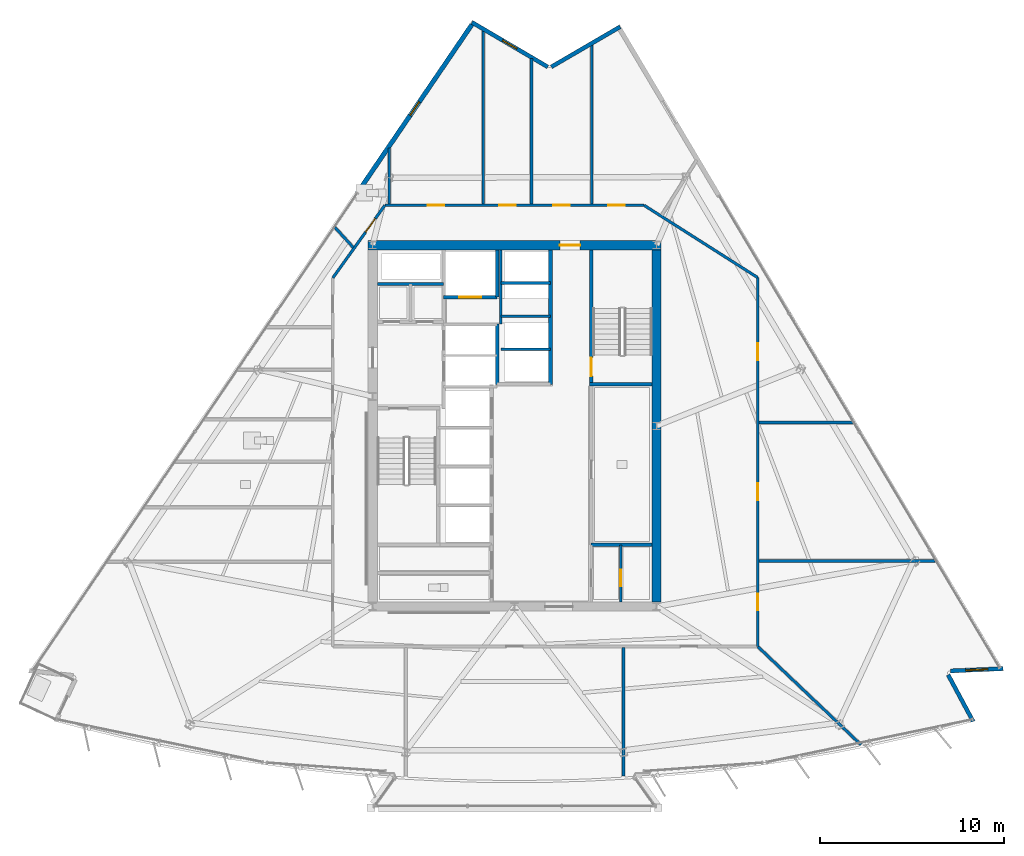
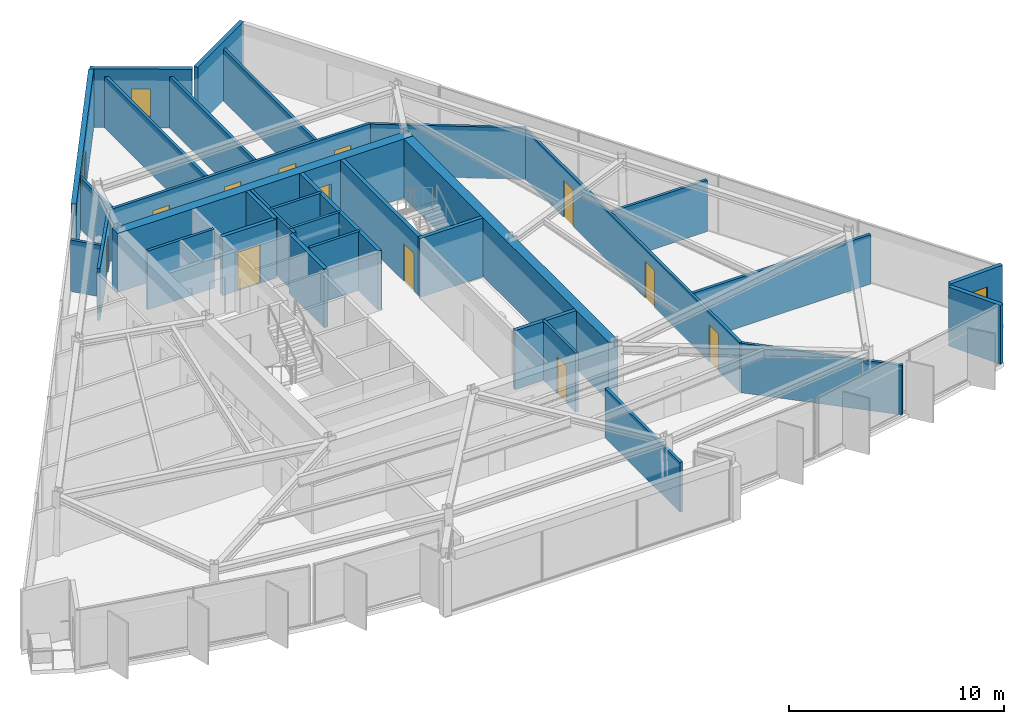
# One storey, part 9 of 15: 33 walls, 12 doors, 3 windows, 15 openings.
"""IFC4 building model written with IfcOpenShell, lengths in metres."""

import ifcopenshell
import ifcopenshell.guid

model = None  # the IFC model being written
_history = None  # IfcOwnerHistory: only IFC2X3 demands one
_inside = {}  # id of a spatial element -> (the spatial element, [elements in it])
_under = {}  # id of a project, library or spatial element -> (it, [spatial elements below it])
_declared = {}  # id of a project -> (the project, [libraries it declares])
_typed = {}  # id of a type object -> (the type object, [elements of that type])
_made_of = {}  # id of a material, layer set ... -> (it, [elements and type objects made of it])


def new_model(schema):
    """Start an empty IFC model of exactly this schema.

    Asked for "IFC4X3", IfcOpenShell would pick the latest addendum, in which some entities
    have other attributes; the version numbers below select the first issue.
    IFC2X3 requires an IfcOwnerHistory on every rooted entity: one is made here for all.
    """
    global model, _history
    if schema == "IFC4X3":
        model = ifcopenshell.file(schema_version=(4, 3, 0, 0))
    else:
        model = ifcopenshell.file(schema=schema)
    _inside.clear()
    _under.clear()
    _declared.clear()
    _typed.clear()
    _made_of.clear()
    _history = None
    if model.schema == "IFC2X3":
        org = make("IfcOrganization", Name="unknown")
        user = make(
            "IfcPersonAndOrganization",
            ThePerson=make("IfcPerson", FamilyName="unknown"),
            TheOrganization=org,
        )
        app = make(
            "IfcApplication",
            ApplicationDeveloper=org,
            Version="unknown",
            ApplicationFullName="unknown",
            ApplicationIdentifier="unknown",
        )
        _history = make(
            "IfcOwnerHistory",
            OwningUser=user,
            OwningApplication=app,
            ChangeAction="ADDED",
            CreationDate=0,
        )
    return model


def make(cls, **values):
    """One entity of the class cls with the attributes given. An attribute that is None is left unset."""
    return model.create_entity(
        cls, **{name: value for name, value in values.items() if value is not None}
    )


def rooted(cls, **values):
    """An entity with a GlobalId (a new one), such as an element, a storey or a relation."""
    return make(cls, GlobalId=ifcopenshell.guid.new(), OwnerHistory=_history, **values)


def si_unit(unit_type, name, prefix=None):
    """IfcSIUnit, for example si_unit("LENGTHUNIT", "METRE", prefix="MILLI")."""
    return make("IfcSIUnit", UnitType=unit_type, Prefix=prefix, Name=name)


def assignment(units):
    """IfcUnitAssignment: the units of a project."""
    return None if units is None else make("IfcUnitAssignment", Units=units)


def point(xyz):
    """IfcCartesianPoint."""
    return None if xyz is None else make("IfcCartesianPoint", Coordinates=xyz)


def direction(xyz):
    """IfcDirection."""
    return None if xyz is None else make("IfcDirection", DirectionRatios=xyz)


def frame(location, z_axis=None, x_axis=None):
    """IfcAxis2Placement3D, a coordinate frame: its origin and axes. An axis left out is left unset."""
    return make(
        "IfcAxis2Placement3D",
        Location=point(location),
        Axis=direction(z_axis),
        RefDirection=direction(x_axis),
    )


def frame_2d(location, x_axis=None):
    """IfcAxis2Placement2D, a coordinate frame in the plane: its origin and x axis."""
    return make(
        "IfcAxis2Placement2D", Location=point(location), RefDirection=direction(x_axis)
    )


def origin():
    """The frame at (0, 0, 0) with its axes left unset."""
    return frame((0.0, 0.0, 0.0))


def place(relative_to, where):
    """IfcLocalPlacement: puts the frame where relative to a parent placement (None: the world)."""
    return make(
        "IfcLocalPlacement", PlacementRelTo=relative_to, RelativePlacement=where
    )


def context(
    kind, dimensions, precision=None, world=None, true_north=None, identifier=None
):
    """IfcGeometricRepresentationContext, for example the 3D "Model" context."""
    return make(
        "IfcGeometricRepresentationContext",
        ContextIdentifier=identifier,
        ContextType=kind,
        CoordinateSpaceDimension=dimensions,
        Precision=precision,
        WorldCoordinateSystem=world,
        TrueNorth=true_north,
    )


def subcontext(parent, identifier, kind, view, scale=None):
    """IfcGeometricRepresentationSubContext, for example "Body" below "Model"."""
    return make(
        "IfcGeometricRepresentationSubContext",
        ContextIdentifier=identifier,
        ContextType=kind,
        ParentContext=parent,
        TargetScale=scale,
        TargetView=view,
    )


def project(units=None, contexts=None):
    """IfcProject with its units and contexts."""
    return rooted(
        "IfcProject",
        Name="project",
        RepresentationContexts=contexts,
        UnitsInContext=assignment(units),
    )


def spatial(cls, under=None, at=None, **own):
    """A site, building, storey or space (cls), placed at a placement, below another one or the project."""
    s = rooted(cls, ObjectPlacement=at, **own)
    if under is not None:
        _under.setdefault(under.id(), (under, []))[1].append(s)
    return s


def profile(cls, at=None, kind="AREA", **sizes):
    """A parametric profile (cls). Its sizes go by their IFC names, for example OverallWidth=200.0."""
    return make(cls, ProfileType=kind, Position=at, **sizes)


def rectangle(**sizes):
    """IfcRectangleProfileDef."""
    return profile("IfcRectangleProfileDef", **sizes)


def extrude(swept, where, along, depth):
    """IfcExtrudedAreaSolid: the profile swept, set in the frame where, extruded along a direction by depth."""
    return make(
        "IfcExtrudedAreaSolid",
        SweptArea=swept,
        Position=where,
        ExtrudedDirection=direction(along),
        Depth=depth,
    )


def shape(context_of_items, identifier, shape_type, items):
    """IfcShapeRepresentation: the items that make up one representation, for example the "Body"."""
    return make(
        "IfcShapeRepresentation",
        ContextOfItems=context_of_items,
        RepresentationIdentifier=identifier,
        RepresentationType=shape_type,
        Items=items,
    )


def material(Name=None, Category=None):
    """IfcMaterial."""
    return make("IfcMaterial", Name=Name, Category=Category)


def layer(
    of_material, thickness, ventilated=None, Name=None, Category=None, Priority=None
):
    """IfcMaterialLayer: one layer of a wall or slab, of a material (None: an air gap)."""
    return make(
        "IfcMaterialLayer",
        Material=of_material,
        LayerThickness=thickness,
        IsVentilated=ventilated,
        Name=Name,
        Category=Category,
        Priority=Priority,
    )


def layer_set(layers, Name=None):
    """IfcMaterialLayerSet."""
    return make("IfcMaterialLayerSet", MaterialLayers=layers, LayerSetName=Name)


def made_of(thing, what):
    """Note that an element or type object is made of a material, layer set ...; save() writes the relation."""
    if what is not None:
        _made_of.setdefault(what.id(), (what, []))[1].append(thing)
    return thing


def type_object(cls, material=None, **own):
    """A type object (cls), such as IfcWallType, which elements share."""
    return made_of(rooted(cls, **own), material)


def element(
    cls,
    number,
    at=None,
    inside=None,
    cuts=None,
    type_object=None,
    material=None,
    context=None,
    identifier="Body",
    shape_type=None,
    held_by="IfcProductDefinitionShape",
    body=None,
    shapes=None,
    **own,
):
    """One element of the class cls, such as IfcWall. Its Tag is "e" and its number.

    at: its placement. inside: the storey or other place that contains it. cuts: it is an
    opening in that element (IfcRelVoidsElement). A single representation is given by context,
    identifier, shape_type and body (its items); several are given by shapes. held_by: the class
    of the entity that holds the representations. save() writes the other relations.
    """
    e = rooted(cls, Tag="e%d" % number, ObjectPlacement=at, **own)
    if body is not None:
        shapes = [shape(context, identifier, shape_type, body)]
    if shapes is not None:
        e.Representation = make(held_by, Representations=shapes)
    if inside is not None:
        _inside.setdefault(inside.id(), (inside, []))[1].append(e)
    if cuts is not None:
        rooted(
            "IfcRelVoidsElement", RelatingBuildingElement=cuts, RelatedOpeningElement=e
        )
    if type_object is not None:
        _typed.setdefault(type_object.id(), (type_object, []))[1].append(e)
    return made_of(e, material)


def fill(opening, filler):
    """IfcRelFillsElement: the door or window that sits in an opening."""
    return rooted(
        "IfcRelFillsElement",
        RelatingOpeningElement=opening,
        RelatedBuildingElement=filler,
    )


def aggregate(whole, parts):
    """IfcRelAggregates: a whole, such as a stair, and the parts it consists of."""
    return rooted("IfcRelAggregates", RelatingObject=whole, RelatedObjects=parts)


def save(model, path):
    """Write the relations noted so far, then the file.

    IfcRelAggregates (storeys below a building ...), IfcRelContainedInSpatialStructure (elements
    in a storey), IfcRelDefinesByType, IfcRelAssociatesMaterial and IfcRelDeclares: one each for
    every whole, place, type object, material and project.
    """
    for whole, parts in _under.values():
        aggregate(whole, parts)
    for where, things in _inside.values():
        rooted(
            "IfcRelContainedInSpatialStructure",
            RelatedElements=things,
            RelatingStructure=where,
        )
    for kind, things in _typed.values():
        rooted("IfcRelDefinesByType", RelatedObjects=things, RelatingType=kind)
    for what, things in _made_of.values():
        rooted("IfcRelAssociatesMaterial", RelatedObjects=things, RelatingMaterial=what)
    for by, libraries in _declared.values():
        rooted("IfcRelDeclares", RelatingContext=by, RelatedDefinitions=libraries)
    model.write(path)


model = new_model("IFC4")

# Units and contexts
model_context = context("Model", 3, precision=1e-05, world=origin(), true_north=direction((0.0, 1.0)))
body_context = subcontext(model_context, "Body", "Model", "MODEL_VIEW")
ifc_project = project(units=[si_unit("LENGTHUNIT", "METRE"), si_unit("AREAUNIT", "SQUARE_METRE"), si_unit("VOLUMEUNIT", "CUBIC_METRE"), si_unit("PLANEANGLEUNIT", "RADIAN"), si_unit("MASSUNIT", "GRAM", prefix="KILO")], contexts=[model_context])

# Site, building, storey
site_placement = place(None, origin())
site = spatial("IfcSite", under=ifc_project, at=site_placement, CompositionType="ELEMENT")
building_placement = place(site_placement, origin())
building = spatial("IfcBuilding", under=site, at=building_placement, Name="Savorim Split Tower", CompositionType="ELEMENT")
storey_placement = place(building_placement, frame((0.0, 0.0, 163.800048828125)))
storey = spatial("IfcBuildingStorey", under=building, at=storey_placement, Name="L43", CompositionType="ELEMENT", Elevation=163.800048828125)

# Wall, opening, door
ifc_material_1 = material(Name="Concrete C60/75", Category="concrete")
ifc_layer_1 = layer(ifc_material_1, 0.5)
ifc_layer_set_1 = layer_set([ifc_layer_1], Name="WAL-COR-SH500")
wall_type_1 = type_object("IfcWallType", Name="WAL-COR-SH500", PredefinedType="SHEAR", material=ifc_layer_set_1)
wall_1_placement = place(storey_placement, frame((7.949951171875, 10.199951171875, 0.0), z_axis=(0.0, 0.0, 1.0), x_axis=(-1.0, 0.0, 0.0)))
wall_1 = element("IfcWall", 1, at=wall_1_placement, inside=storey, type_object=wall_type_1, Name="L43 Offset Core North Shear Wall", PredefinedType="SHEAR", context=body_context, shape_type="SweptSolid", body=[
    extrude(rectangle(XDim=15.89990234375, YDim=0.5, at=frame_2d((7.949951171875, 0.0))), origin(), (0.0, 0.0, 1.0), 3.349853515625),
])
opening_1_placement = place(wall_1_placement, frame((4.39990234375, 0.0, 0.0)))
opening_1 = element("IfcOpeningElement", 2, at=opening_1_placement, cuts=wall_1, Name="Opening DI-03", PredefinedType="OPENING", context=body_context, shape_type="SweptSolid", body=[
    extrude(rectangle(XDim=1.10009765625, YDim=2.14990234375, at=frame_2d((0.550048828125, 1.074951171875))), frame((0.0, 0.260009765625, 0.0), z_axis=(0.0, -1.0, 0.0), x_axis=(1.0, 0.0, 0.0)), (0.0, 0.0, 1.0), 0.52001953125),
])
ifc_material_2 = material(Name="Timber Fire Door Leaf", Category="wood")
door_type_1 = type_object("IfcDoorType", Name="DOR-FIR-1100", OperationType="NOTDEFINED", PredefinedType="DOOR", material=ifc_material_2)
door_1_placement = place(opening_1_placement, origin())
door_1 = element("IfcDoor", 3, at=door_1_placement, inside=storey, type_object=door_type_1, Name="DOR-L43-COR-NLOB - L43 North Corridor Lobby Fire Door", OperationType="SINGLE_SWING_RIGHT", OverallHeight=2.14990234375, OverallWidth=1.10009765625, PredefinedType="DOOR", context=body_context, shape_type="SweptSolid", body=[
    extrude(rectangle(XDim=1.10009765625, YDim=2.14990234375, at=frame_2d((0.550048828125, 1.074951171875))), frame((0.0, 0.02490234375, 0.0), z_axis=(0.0, -1.0, 0.0), x_axis=(1.0, 0.0, 0.0)), (0.0, 0.0, 1.0), 0.050048828125),
])
fill(opening_1, door_1)

# Walls
wall_2_placement = place(storey_placement, frame((7.699951171875, 9.949951171875, 0.0), z_axis=(0.0, 0.0, 1.0), x_axis=(0.0, -1.0, 0.0)))
element("IfcWall", 4, at=wall_2_placement, inside=storey, type_object=wall_type_1, Name="L43 Offset Core East Shear Wall", PredefinedType="SHEAR", context=body_context, shape_type="SweptSolid", body=[
    extrude(rectangle(XDim=19.099853515625, YDim=0.5, at=frame_2d((9.5498046875, 0.0))), origin(), (0.0, 0.0, 1.0), 3.349853515625),
])
ifc_material_3 = material(Name="Precast concrete C40/50", Category="concrete")
ifc_layer_2 = layer(ifc_material_3, 0.219970703125)
ifc_layer_set_2 = layer_set([ifc_layer_2], Name="WAL-EXT-CRN220")
wall_type_2 = type_object("IfcWallType", Name="WAL-EXT-CRN220", PredefinedType="SOLIDWALL", material=ifc_layer_set_2)
wall_3_placement = place(storey_placement, frame((23.51123046875, -13.102294921875, 0.0), z_axis=(0.0, 0.0, 1.0), x_axis=(0.472804807667, -0.881167188362, 0.0)))
element("IfcWall", 5, at=wall_3_placement, inside=storey, type_object=wall_type_2, Name="L43 Notched Corner Facade Wall SE1", PredefinedType="SOLIDWALL", context=body_context, shape_type="SweptSolid", body=[
    extrude(rectangle(XDim=2.867919921875, YDim=0.219970703125, at=frame_2d((1.43408203125, 0.0))), origin(), (0.0, 0.0, 1.0), 3.349853515625),
])

# Wall, opening, window
wall_4_placement = place(storey_placement, frame((26.495849609375, -12.766845703125, 0.0), z_axis=(0.0, 0.0, 1.0), x_axis=(-0.999095763679, -0.042516526188, 0.0)))
wall_4 = element("IfcWall", 6, at=wall_4_placement, inside=storey, type_object=wall_type_2, Name="L43 Notched Corner Facade Wall SE", PredefinedType="SOLIDWALL", context=body_context, shape_type="SweptSolid", body=[
    extrude(rectangle(XDim=2.865478515625, YDim=0.219970703125, at=frame_2d((1.4326171875, 0.0))), origin(), (0.0, 0.0, 1.0), 3.349853515625),
])
opening_2_placement = place(wall_4_placement, frame((0.832763671875, 0.0, 0.6201171875)))
opening_2 = element("IfcOpeningElement", 7, at=opening_2_placement, cuts=wall_4, Name="Opening WN-08", PredefinedType="OPENING", context=body_context, shape_type="SweptSolid", body=[
    extrude(rectangle(XDim=1.199951171875, YDim=1.800048828125, at=frame_2d((0.60009765625, 0.89990234375))), frame((0.0, 0.119873046875, 0.0), z_axis=(0.0, -1.0, 0.0), x_axis=(1.0, 0.0, 0.0)), (0.0, 0.0, 1.0), 0.239990234375),
])
ifc_material_4 = material(Name="Low-E Operable Double Glazing", Category="glass")
window_type_1 = type_object("IfcWindowType", Name="WIN-TWR-1200x1800", PartitioningType="SINGLE_PANEL", PredefinedType="WINDOW", material=ifc_material_4)
window_1_placement = place(opening_2_placement, origin())
window_1 = element("IfcWindow", 8, at=window_1_placement, inside=storey, type_object=window_type_1, Name="L43 Operable Corner Window SE", OverallHeight=1.800048828125, OverallWidth=1.199951171875, PartitioningType="SINGLE_PANEL", PredefinedType="WINDOW", context=body_context, shape_type="SweptSolid", body=[
    extrude(rectangle(XDim=1.199951171875, YDim=1.800048828125, at=frame_2d((0.60009765625, 0.89990234375))), frame((0.0, 0.030029296875, 0.0), z_axis=(0.0, -1.0, 0.0), x_axis=(1.0, 0.0, 0.0)), (0.0, 0.0, 1.0), 0.06005859375),
])
fill(opening_2, window_1)

# Wall
wall_5_placement = place(storey_placement, frame((1.987060546875, 19.867919921875, 0.0), z_axis=(0.0, 0.0, 1.0), x_axis=(0.863979520686, 0.503526948469, 0.0)))
element("IfcWall", 9, at=wall_5_placement, inside=storey, type_object=wall_type_2, Name="L43 Notched Corner Facade Wall NE1", PredefinedType="SOLIDWALL", context=body_context, shape_type="SweptSolid", body=[
    extrude(rectangle(XDim=4.323974609375, YDim=0.219970703125, at=frame_2d((2.162109375, 0.0))), origin(), (0.0, 0.0, 1.0), 3.349853515625),
])

# Wall, opening, window
wall_6_placement = place(storey_placement, frame((-2.32177734375, 22.288818359375, 0.0), z_axis=(0.0, 0.0, 1.0), x_axis=(0.862111523483, -0.506718581738, 0.0)))
wall_6 = element("IfcWall", 10, at=wall_6_placement, inside=storey, type_object=wall_type_2, Name="L43 Notched Corner Facade Wall N", PredefinedType="SOLIDWALL", context=body_context, shape_type="SweptSolid", body=[
    extrude(rectangle(XDim=4.777099609375, YDim=0.219970703125, at=frame_2d((2.388671875, 0.0))), origin(), (0.0, 0.0, 1.0), 3.349853515625),
])
opening_3_placement = place(wall_6_placement, frame((1.938720703125, 0.0, 0.6201171875)))
opening_3 = element("IfcOpeningElement", 11, at=opening_3_placement, cuts=wall_6, Name="Opening WN-10", PredefinedType="OPENING", context=body_context, shape_type="SweptSolid", body=[
    extrude(rectangle(XDim=0.89990234375, YDim=1.60009765625, at=frame_2d((0.449951171875, 0.800048828125))), frame((0.0, 0.119873046875, 0.0), z_axis=(0.0, -1.0, 0.0), x_axis=(1.0, 0.0, 0.0)), (0.0, 0.0, 1.0), 0.239990234375),
])
window_type_2 = type_object("IfcWindowType", Name="WIN-TWR-900x1600", PartitioningType="SINGLE_PANEL", PredefinedType="WINDOW", material=ifc_material_4)
window_2_placement = place(opening_3_placement, origin())
window_2 = element("IfcWindow", 12, at=window_2_placement, inside=storey, type_object=window_type_2, Name="L43 Operable Corner Window N", OverallHeight=1.60009765625, OverallWidth=0.89990234375, PartitioningType="SINGLE_PANEL", PredefinedType="WINDOW", context=body_context, shape_type="SweptSolid", body=[
    extrude(rectangle(XDim=0.89990234375, YDim=1.60009765625, at=frame_2d((0.449951171875, 0.800048828125))), frame((0.0, 0.030029296875, 0.0), z_axis=(0.0, -1.0, 0.0), x_axis=(1.0, 0.0, 0.0)), (0.0, 0.0, 1.0), 0.06005859375),
])
fill(opening_3, window_2)

ifc_layer_3 = layer(ifc_material_3, 0.25)
ifc_layer_set_3 = layer_set([ifc_layer_3], Name="WAL-EXT-SPN250")
wall_type_3 = type_object("IfcWallType", Name="WAL-EXT-SPN250", PredefinedType="SOLIDWALL", material=ifc_layer_set_3)
wall_7_placement = place(storey_placement, frame((-8.51708984375, 13.053466796875, 0.0), z_axis=(0.0, 0.0, 1.0), x_axis=(0.562463961516, 0.826821801838, 0.0)))
wall_7 = element("IfcWall", 13, at=wall_7_placement, inside=storey, type_object=wall_type_3, Name="L43 West Operable Window Pier", PredefinedType="SOLIDWALL", context=body_context, shape_type="SweptSolid", body=[
    extrude(rectangle(XDim=11.017578125, YDim=0.25, at=frame_2d((5.5087890625, 0.0))), origin(), (0.0, 0.0, 1.0), 3.349853515625),
])
opening_4_placement = place(wall_7_placement, frame((5.058837890625, 0.0, 0.6201171875)))
opening_4 = element("IfcOpeningElement", 14, at=opening_4_placement, cuts=wall_7, Name="Opening WN-10", PredefinedType="OPENING", context=body_context, shape_type="SweptSolid", body=[
    extrude(rectangle(XDim=0.89990234375, YDim=1.60009765625, at=frame_2d((0.449951171875, 0.800048828125))), frame((0.0, 0.135009765625, 0.0), z_axis=(0.0, -1.0, 0.0), x_axis=(1.0, 0.0, 0.0)), (0.0, 0.0, 1.0), 0.27001953125),
])
window_3_placement = place(opening_4_placement, origin())
window_3 = element("IfcWindow", 15, at=window_3_placement, inside=storey, type_object=window_type_2, Name="L43 West Operable Ventilation Window", OverallHeight=1.60009765625, OverallWidth=0.89990234375, PartitioningType="SINGLE_PANEL", PredefinedType="WINDOW", context=body_context, shape_type="SweptSolid", body=[
    extrude(rectangle(XDim=0.89990234375, YDim=1.60009765625, at=frame_2d((0.449951171875, 0.800048828125))), frame((0.0, 0.030029296875, 0.0), z_axis=(0.0, -1.0, 0.0), x_axis=(1.0, 0.0, 0.0)), (0.0, 0.0, 1.0), 0.06005859375),
])
fill(opening_4, window_3)

# Wall, opening, door
ifc_material_5 = material(Name="Concrete C50/60", Category="concrete")
ifc_layer_4 = layer(ifc_material_5, 0.199951171875)
ifc_layer_set_4 = layer_set([ifc_layer_4], Name="WAL-INT-RC200")
wall_type_4 = type_object("IfcWallType", Name="WAL-INT-RC200", PredefinedType="SOLIDWALL", material=ifc_layer_set_4)
wall_8_placement = place(storey_placement, frame((4.14990234375, 2.75, 0.0), z_axis=(0.0, 0.0, 1.0), x_axis=(0.0, 1.0, 0.0)))
wall_8 = element("IfcWall", 16, at=wall_8_placement, inside=storey, type_object=wall_type_4, Name="L43 Structural Shaft Wall W-L43-CR07", PredefinedType="SOLIDWALL", context=body_context, shape_type="SweptSolid", body=[
    extrude(rectangle(XDim=7.199951171875, YDim=0.199951171875, at=frame_2d((3.60009765625, 0.0))), origin(), (0.0, 0.0, 1.0), 3.349853515625),
])
opening_5_placement = place(wall_8_placement, frame((0.35009765625, 0.0, 0.0)))
opening_5 = element("IfcOpeningElement", 17, at=opening_5_placement, cuts=wall_8, Name="Opening DI-04", PredefinedType="OPENING", context=body_context, shape_type="SweptSolid", body=[
    extrude(rectangle(XDim=1.0, YDim=2.14990234375, at=frame_2d((0.5, 1.074951171875))), frame((0.0, 0.10986328125, 0.0), z_axis=(0.0, -1.0, 0.0), x_axis=(1.0, 0.0, 0.0)), (0.0, 0.0, 1.0), 0.219970703125),
])
door_type_2 = type_object("IfcDoorType", Name="DOR-FIR-1000", OperationType="NOTDEFINED", PredefinedType="DOOR", material=ifc_material_2)
door_2_placement = place(opening_5_placement, origin())
door_2 = element("IfcDoor", 18, at=door_2_placement, inside=storey, type_object=door_type_2, Name="DR-L43-ST2 - L43 Stair ST-2 Enclosure Door", OperationType="SINGLE_SWING_RIGHT", OverallHeight=2.14990234375, OverallWidth=1.0, PredefinedType="DOOR", context=body_context, shape_type="SweptSolid", body=[
    extrude(rectangle(XDim=1.0, YDim=2.14990234375, at=frame_2d((0.5, 1.074951171875))), frame((0.0, 0.02490234375, 0.0), z_axis=(0.0, -1.0, 0.0), x_axis=(1.0, 0.0, 0.0)), (0.0, 0.0, 1.0), 0.050048828125),
])
fill(opening_5, door_2)

# Walls
wall_9_placement = place(storey_placement, frame((4.050048828125, 2.64990234375, 0.0), z_axis=(0.0, 0.0, 1.0), x_axis=(1.0, 0.0, 0.0)))
element("IfcWall", 19, at=wall_9_placement, inside=storey, type_object=wall_type_4, Name="L43 Structural Shaft Wall W-L43-CR08", PredefinedType="SOLIDWALL", context=body_context, shape_type="SweptSolid", body=[
    extrude(rectangle(XDim=3.39990234375, YDim=0.199951171875, at=frame_2d((1.699951171875, 0.0))), origin(), (0.0, 0.0, 1.0), 3.349853515625),
])
wall_10_placement = place(storey_placement, frame((-0.949951171875, 2.64990234375, 0.0), z_axis=(0.0, 0.0, 1.0), x_axis=(0.0, 1.0, 0.0)))
element("IfcWall", 20, at=wall_10_placement, inside=storey, type_object=wall_type_4, Name="L43 Partition W-L43-FFLW", PredefinedType="SOLIDWALL", context=body_context, shape_type="SweptSolid", body=[
    extrude(rectangle(XDim=3.27001953125, YDim=0.199951171875, at=frame_2d((1.635009765625, 0.0))), origin(), (0.0, 0.0, 1.0), 3.349853515625),
])

# Wall, opening, door
wall_11_placement = place(storey_placement, frame((-3.85009765625, 7.3798828125, 0.0), z_axis=(0.0, 0.0, 1.0), x_axis=(1.0, 0.0, 0.0)))
wall_11 = element("IfcWall", 21, at=wall_11_placement, inside=storey, type_object=wall_type_4, Name="L43 Partition W-L43-SVLS", PredefinedType="SOLIDWALL", context=body_context, shape_type="SweptSolid", body=[
    extrude(rectangle(XDim=2.900146484375, YDim=0.199951171875, at=frame_2d((1.4501953125, 0.0))), origin(), (0.0, 0.0, 1.0), 3.349853515625),
])
opening_6_placement = place(wall_11_placement, frame((0.85009765625, 0.0, 0.0)))
opening_6 = element("IfcOpeningElement", 22, at=opening_6_placement, cuts=wall_11, Name="Opening LD-SV", PredefinedType="OPENING", context=body_context, shape_type="SweptSolid", body=[
    extrude(rectangle(XDim=1.199951171875, YDim=2.199951171875, at=frame_2d((0.60009765625, 1.10009765625))), frame((0.0, 0.10986328125, 0.0), z_axis=(0.0, -1.0, 0.0), x_axis=(1.0, 0.0, 0.0)), (0.0, 0.0, 1.0), 0.219970703125),
])
ifc_material_6 = material(Name="Charcoal Anodised Aluminium", Category="aluminium")
door_type_3 = type_object("IfcDoorType", Name="DOR-SLD-SV1200", OperationType="NOTDEFINED", PredefinedType="DOOR", material=ifc_material_6)
door_3_placement = place(opening_6_placement, origin())
door_3 = element("IfcDoor", 23, at=door_3_placement, inside=storey, type_object=door_type_3, Name="DR-L43-LD-SVL1 - L43 Service Lift SVL-1 Sliding Landing Door", OperationType="DOUBLE_DOOR_SLIDING", OverallHeight=2.199951171875, OverallWidth=1.199951171875, PredefinedType="DOOR", context=body_context, shape_type="SweptSolid", body=[
    extrude(rectangle(XDim=1.199951171875, YDim=2.199951171875, at=frame_2d((0.60009765625, 1.10009765625))), frame((0.0, 0.02490234375, 0.0), z_axis=(0.0, -1.0, 0.0), x_axis=(1.0, 0.0, 0.0)), (0.0, 0.0, 1.0), 0.050048828125),
])
fill(opening_6, door_3)

# Walls
wall_12_placement = place(storey_placement, frame((-0.949951171875, 7.3798828125, 0.0), z_axis=(0.0, 0.0, 1.0), x_axis=(0.0, 1.0, 0.0)))
element("IfcWall", 24, at=wall_12_placement, inside=storey, type_object=wall_type_4, Name="L43 Partition W-L43-SVLE", PredefinedType="SOLIDWALL", context=body_context, shape_type="SweptSolid", body=[
    extrude(rectangle(XDim=2.565185546875, YDim=0.199951171875, at=frame_2d((1.28271484375, 0.0))), origin(), (0.0, 0.0, 1.0), 3.349853515625),
])
wall_13_placement = place(storey_placement, frame((1.949951171875, 2.64990234375, 0.0), z_axis=(0.0, 0.0, 1.0), x_axis=(0.0, 1.0, 0.0)))
element("IfcWall", 25, at=wall_13_placement, inside=storey, type_object=wall_type_4, Name="L43 Partition W-L43-B3FRONT", PredefinedType="SOLIDWALL", context=body_context, shape_type="SweptSolid", body=[
    extrude(rectangle(XDim=7.295166015625, YDim=0.199951171875, at=frame_2d((3.6474609375, 0.0))), origin(), (0.0, 0.0, 1.0), 3.349853515625),
])
wall_14_placement = place(storey_placement, frame((4.14990234375, -6.050048828125, 0.0), z_axis=(0.0, 0.0, 1.0), x_axis=(1.0, 0.0, 0.0)))
element("IfcWall", 26, at=wall_14_placement, inside=storey, type_object=wall_type_4, Name="L43 Partition W-L43-KSEP-E", PredefinedType="SOLIDWALL", context=body_context, shape_type="SweptSolid", body=[
    extrude(rectangle(XDim=3.295166015625, YDim=0.199951171875, at=frame_2d((1.6474609375, 0.0))), origin(), (0.0, 0.0, 1.0), 3.349853515625),
])
ifc_material_7 = material(Name="Acoustic Gypsum Partition Board")
ifc_layer_5 = layer(ifc_material_7, 0.14990234375)
ifc_layer_set_5 = layer_set([ifc_layer_5], Name="WAL-PAR-150")
wall_type_5 = type_object("IfcWallType", Name="WAL-PAR-150", PredefinedType="PARTITIONING", material=ifc_layer_set_5)
wall_15_placement = place(storey_placement, frame((-7.445068359375, 8.10009765625, 0.0), z_axis=(0.0, 0.0, 1.0), x_axis=(1.0, 0.0, 0.0)))
element("IfcWall", 27, at=wall_15_placement, inside=storey, type_object=wall_type_5, Name="L43 Partition W-L43-CR05", PredefinedType="PARTITIONING", context=body_context, shape_type="SweptSolid", body=[
    extrude(rectangle(XDim=3.594970703125, YDim=0.14990234375, at=frame_2d((1.79736328125, 0.0))), origin(), (0.0, 0.0, 1.0), 3.349853515625),
])
wall_16_placement = place(storey_placement, frame((-0.75, 5.919921875, 0.0), z_axis=(0.0, 0.0, 1.0), x_axis=(0.0, 1.0, 0.0)))
element("IfcWall", 28, at=wall_16_placement, inside=storey, type_object=wall_type_5, Name="L43 Partition W-L43-B3WEST", PredefinedType="PARTITIONING", context=body_context, shape_type="SweptSolid", body=[
    extrude(rectangle(XDim=4.025146484375, YDim=0.14990234375, at=frame_2d((2.0126953125, 0.0))), origin(), (0.0, 0.0, 1.0), 3.349853515625),
])
for number, where, z_axis, x_axis, name in (
    (29, (-0.75, 4.550048828125, 0.0), (0.0, 0.0, 1.0), (1.0, 0.0, 0.0), "L43 Partition W-L43-B3DIV1"),
    (30, (-0.75, 6.35009765625, 0.0), (0.0, 0.0, 1.0), (1.0, 0.0, 0.0), "L43 Partition W-L43-B3DIV2"),
    (31, (-0.75, 8.14990234375, 0.0), (0.0, 0.0, 1.0), (1.0, 0.0, 0.0), "L43 Partition W-L43-B3DIV3"),
):
    element("IfcWall", number, at=place(storey_placement, frame(where, z_axis=z_axis, x_axis=x_axis)), inside=storey, type_object=wall_type_5, Name=name, PredefinedType="PARTITIONING", context=body_context, shape_type="SweptSolid", body=[
        extrude(rectangle(XDim=2.699951171875, YDim=0.14990234375, at=frame_2d((1.35009765625, 0.0))), origin(), (0.0, 0.0, 1.0), 3.349853515625),
    ])

# Wall, opening, door
wall_17_placement = place(storey_placement, frame((5.75, -9.14501953125, 0.0), z_axis=(0.0, 0.0, 1.0), x_axis=(0.0, 1.0, 0.0)))
wall_17 = element("IfcWall", 32, at=wall_17_placement, inside=storey, type_object=wall_type_5, Name="L43 Partition W-L43-K2E", PredefinedType="PARTITIONING", context=body_context, shape_type="SweptSolid", body=[
    extrude(rectangle(XDim=3.094970703125, YDim=0.14990234375, at=frame_2d((1.54736328125, 0.0))), origin(), (0.0, 0.0, 1.0), 3.349853515625),
])
opening_7_placement = place(wall_17_placement, frame((0.844970703125, 0.0, 0.0)))
opening_7 = element("IfcOpeningElement", 33, at=opening_7_placement, cuts=wall_17, Name="Opening DI-06", PredefinedType="OPENING", context=body_context, shape_type="SweptSolid", body=[
    extrude(rectangle(XDim=0.89990234375, YDim=2.10009765625, at=frame_2d((0.449951171875, 1.050048828125))), frame((0.0, 0.0849609375, 0.0), z_axis=(0.0, -1.0, 0.0), x_axis=(1.0, 0.0, 0.0)), (0.0, 0.0, 1.0), 0.169921875),
])
door_type_4 = type_object("IfcDoorType", Name="DOR-FIR-900", OperationType="NOTDEFINED", PredefinedType="DOOR", material=ifc_material_2)
door_4_placement = place(opening_7_placement, origin())
door_4 = element("IfcDoor", 34, at=door_4_placement, inside=storey, type_object=door_type_4, Name="DR-L43-K2REF - L43 Recycling Room Door", OperationType="SINGLE_SWING_RIGHT", OverallHeight=2.10009765625, OverallWidth=0.89990234375, PredefinedType="DOOR", context=body_context, shape_type="SweptSolid", body=[
    extrude(rectangle(XDim=0.89990234375, YDim=2.10009765625, at=frame_2d((0.449951171875, 1.050048828125))), frame((0.0, 0.02490234375, 0.0), z_axis=(0.0, -1.0, 0.0), x_axis=(1.0, 0.0, 0.0)), (0.0, 0.0, 1.0), 0.050048828125),
])
fill(opening_7, door_4)

wall_18_placement = place(storey_placement, frame((-9.860107421875, 8.42578125, 0.0), z_axis=(0.0, 0.0, 1.0), x_axis=(0.582449511476, 0.812866881218, 0.0)))
wall_18 = element("IfcWall", 35, at=wall_18_placement, inside=storey, type_object=wall_type_5, Name="L43 Partition W-L43-COR-02", PredefinedType="PARTITIONING", context=body_context, shape_type="SweptSolid", body=[
    extrude(rectangle(XDim=4.840087890625, YDim=0.14990234375, at=frame_2d((2.419921875, 0.0))), origin(), (0.0, 0.0, 1.0), 2.96484375),
])
opening_8_placement = place(wall_18_placement, frame((3.05517578125, 0.0, 0.0)))
opening_8 = element("IfcOpeningElement", 36, at=opening_8_placement, cuts=wall_18, Name="Opening DI-11", PredefinedType="OPENING", context=body_context, shape_type="SweptSolid", body=[
    extrude(rectangle(XDim=0.89990234375, YDim=2.10009765625, at=frame_2d((0.449951171875, 1.050048828125))), frame((0.0, 0.0849609375, 0.0), z_axis=(0.0, -1.0, 0.0), x_axis=(1.0, 0.0, 0.0)), (0.0, 0.0, 1.0), 0.169921875),
])
ifc_material_8 = material(Name="Oak Veneer Acoustic Door")
door_type_5 = type_object("IfcDoorType", Name="DOR-WC-900", OperationType="NOTDEFINED", PredefinedType="DOOR", material=ifc_material_8)
door_5_placement = place(opening_8_placement, origin())
door_5 = element("IfcDoor", 37, at=door_5_placement, inside=storey, type_object=door_type_5, Name="DR-L43-RM14 - L43 Shared Bathroom Entry Door", OperationType="SINGLE_SWING_LEFT", OverallHeight=2.10009765625, OverallWidth=0.89990234375, PredefinedType="DOOR", context=body_context, shape_type="SweptSolid", body=[
    extrude(rectangle(XDim=0.89990234375, YDim=2.10009765625, at=frame_2d((0.449951171875, 1.050048828125))), frame((0.0, 0.02490234375, 0.0), z_axis=(0.0, -1.0, 0.0), x_axis=(1.0, 0.0, 0.0)), (0.0, 0.0, 1.0), 0.050048828125),
])
fill(opening_8, door_5)

# Wall, openings, doors
wall_19_placement = place(storey_placement, frame((-7.041015625, 12.360107421875, 0.0), z_axis=(0.0, 0.0, 1.0), x_axis=(1.0, 0.0, 0.0)))
wall_19 = element("IfcWall", 38, at=wall_19_placement, inside=storey, type_object=wall_type_5, Name="L43 Partition W-L43-COR-03", PredefinedType="PARTITIONING", context=body_context, shape_type="SweptSolid", body=[
    extrude(rectangle(XDim=14.064208984375, YDim=0.14990234375, at=frame_2d((7.0322265625, 0.0))), origin(), (0.0, 0.0, 1.0), 2.96484375),
])
opening_9_placement = place(wall_19_placement, frame((12.10498046875, 0.0, 0.0)))
opening_9 = element("IfcOpeningElement", 39, at=opening_9_placement, cuts=wall_19, Name="Opening DI-06", PredefinedType="OPENING", context=body_context, shape_type="SweptSolid", body=[
    extrude(rectangle(XDim=0.89990234375, YDim=2.10009765625, at=frame_2d((0.449951171875, 1.050048828125))), frame((0.0, 0.0849609375, 0.0), z_axis=(0.0, -1.0, 0.0), x_axis=(1.0, 0.0, 0.0)), (0.0, 0.0, 1.0), 0.169921875),
])
opening_10_placement = place(wall_19_placement, frame((9.13720703125, 0.0, 0.0)))
opening_10 = element("IfcOpeningElement", 40, at=opening_10_placement, cuts=wall_19, Name="Opening DI-06", PredefinedType="OPENING", context=body_context, shape_type="SweptSolid", body=[
    extrude(rectangle(XDim=0.89990234375, YDim=2.10009765625, at=frame_2d((0.449951171875, 1.050048828125))), frame((0.0, 0.0849609375, 0.0), z_axis=(0.0, -1.0, 0.0), x_axis=(1.0, 0.0, 0.0)), (0.0, 0.0, 1.0), 0.169921875),
])
opening_11_placement = place(wall_19_placement, frame((6.193359375, 0.0, 0.0)))
opening_11 = element("IfcOpeningElement", 41, at=opening_11_placement, cuts=wall_19, Name="Opening DI-06", PredefinedType="OPENING", context=body_context, shape_type="SweptSolid", body=[
    extrude(rectangle(XDim=0.89990234375, YDim=2.10009765625, at=frame_2d((0.449951171875, 1.050048828125))), frame((0.0, 0.0849609375, 0.0), z_axis=(0.0, -1.0, 0.0), x_axis=(1.0, 0.0, 0.0)), (0.0, 0.0, 1.0), 0.169921875),
])
opening_12_placement = place(wall_19_placement, frame((2.336669921875, 0.0, 0.0)))
opening_12 = element("IfcOpeningElement", 42, at=opening_12_placement, cuts=wall_19, Name="Opening DI-06", PredefinedType="OPENING", context=body_context, shape_type="SweptSolid", body=[
    extrude(rectangle(XDim=0.89990234375, YDim=2.10009765625, at=frame_2d((0.449951171875, 1.050048828125))), frame((0.0, 0.0849609375, 0.0), z_axis=(0.0, -1.0, 0.0), x_axis=(1.0, 0.0, 0.0)), (0.0, 0.0, 1.0), 0.169921875),
])
door_6_placement = place(opening_9_placement, origin())
door_6 = element("IfcDoor", 43, at=door_6_placement, inside=storey, type_object=door_type_4, Name="DR-L43-RM10 - L43 Quiet Study Room Entry Door", OperationType="SINGLE_SWING_LEFT", OverallHeight=2.10009765625, OverallWidth=0.89990234375, PredefinedType="DOOR", context=body_context, shape_type="SweptSolid", body=[
    extrude(rectangle(XDim=0.89990234375, YDim=2.10009765625, at=frame_2d((0.449951171875, 1.050048828125))), frame((0.0, 0.02490234375, 0.0), z_axis=(0.0, -1.0, 0.0), x_axis=(1.0, 0.0, 0.0)), (0.0, 0.0, 1.0), 0.050048828125),
])
fill(opening_9, door_6)
door_7_placement = place(opening_10_placement, origin())
door_7 = element("IfcDoor", 44, at=door_7_placement, inside=storey, type_object=door_type_4, Name="DR-L43-RM11 - L43 Quiet Study Room Entry Door", OperationType="SINGLE_SWING_RIGHT", OverallHeight=2.10009765625, OverallWidth=0.89990234375, PredefinedType="DOOR", context=body_context, shape_type="SweptSolid", body=[
    extrude(rectangle(XDim=0.89990234375, YDim=2.10009765625, at=frame_2d((0.449951171875, 1.050048828125))), frame((0.0, 0.02490234375, 0.0), z_axis=(0.0, -1.0, 0.0), x_axis=(1.0, 0.0, 0.0)), (0.0, 0.0, 1.0), 0.050048828125),
])
fill(opening_10, door_7)
door_8_placement = place(opening_11_placement, origin())
door_8 = element("IfcDoor", 45, at=door_8_placement, inside=storey, type_object=door_type_4, Name="DR-L43-RM12 - L43 Quiet Study Room Entry Door", OperationType="SINGLE_SWING_LEFT", OverallHeight=2.10009765625, OverallWidth=0.89990234375, PredefinedType="DOOR", context=body_context, shape_type="SweptSolid", body=[
    extrude(rectangle(XDim=0.89990234375, YDim=2.10009765625, at=frame_2d((0.449951171875, 1.050048828125))), frame((0.0, 0.02490234375, 0.0), z_axis=(0.0, -1.0, 0.0), x_axis=(1.0, 0.0, 0.0)), (0.0, 0.0, 1.0), 0.050048828125),
])
fill(opening_11, door_8)
door_9_placement = place(opening_12_placement, origin())
door_9 = element("IfcDoor", 46, at=door_9_placement, inside=storey, type_object=door_type_4, Name="DR-L43-RM13 - L43 Quiet Study Room Entry Door", OperationType="SINGLE_SWING_RIGHT", OverallHeight=2.10009765625, OverallWidth=0.89990234375, PredefinedType="DOOR", context=body_context, shape_type="SweptSolid", body=[
    extrude(rectangle(XDim=0.89990234375, YDim=2.10009765625, at=frame_2d((0.449951171875, 1.050048828125))), frame((0.0, 0.02490234375, 0.0), z_axis=(0.0, -1.0, 0.0), x_axis=(1.0, 0.0, 0.0)), (0.0, 0.0, 1.0), 0.050048828125),
])
fill(opening_12, door_9)

# Wall
wall_20_placement = place(storey_placement, frame((7.023193359375, 12.360107421875, 0.0), z_axis=(0.0, 0.0, 1.0), x_axis=(0.84376480085, -0.536713108511, 0.0)))
element("IfcWall", 47, at=wall_20_placement, inside=storey, type_object=wall_type_5, Name="L43 Partition W-L43-COR-04", PredefinedType="PARTITIONING", context=body_context, shape_type="SweptSolid", body=[
    extrude(rectangle(XDim=7.296630859375, YDim=0.14990234375, at=frame_2d((3.6484375, 0.0))), origin(), (0.0, 0.0, 1.0), 2.93505859375),
])

# Wall, openings, doors
wall_21_placement = place(storey_placement, frame((13.179931640625, 8.44384765625, 0.0), z_axis=(0.0, 0.0, 1.0), x_axis=(0.0, -1.0, 0.0)))
wall_21 = element("IfcWall", 48, at=wall_21_placement, inside=storey, type_object=wall_type_5, Name="L43 Partition W-L43-COR-05", PredefinedType="PARTITIONING", context=body_context, shape_type="SweptSolid", body=[
    extrude(rectangle(XDim=20.00390625, YDim=0.14990234375, at=frame_2d((10.001953125, 0.0))), origin(), (0.0, 0.0, 1.0), 2.824951171875),
])
opening_13_placement = place(wall_21_placement, frame((17.14794921875, 0.0, 0.0)))
opening_13 = element("IfcOpeningElement", 49, at=opening_13_placement, cuts=wall_21, Name="Opening DI-06", PredefinedType="OPENING", context=body_context, shape_type="SweptSolid", body=[
    extrude(rectangle(XDim=0.89990234375, YDim=2.10009765625, at=frame_2d((0.449951171875, 1.050048828125))), frame((0.0, 0.0849609375, 0.0), z_axis=(0.0, -1.0, 0.0), x_axis=(1.0, 0.0, 0.0)), (0.0, 0.0, 1.0), 0.169921875),
])
opening_14_placement = place(wall_21_placement, frame((11.16845703125, 0.0, 0.0)))
opening_14 = element("IfcOpeningElement", 50, at=opening_14_placement, cuts=wall_21, Name="Opening DI-06", PredefinedType="OPENING", context=body_context, shape_type="SweptSolid", body=[
    extrude(rectangle(XDim=0.89990234375, YDim=2.10009765625, at=frame_2d((0.449951171875, 1.050048828125))), frame((0.0, 0.0849609375, 0.0), z_axis=(0.0, -1.0, 0.0), x_axis=(1.0, 0.0, 0.0)), (0.0, 0.0, 1.0), 0.169921875),
])
opening_15_placement = place(wall_21_placement, frame((3.572509765625, 0.0, 0.0)))
opening_15 = element("IfcOpeningElement", 51, at=opening_15_placement, cuts=wall_21, Name="Opening DI-06", PredefinedType="OPENING", context=body_context, shape_type="SweptSolid", body=[
    extrude(rectangle(XDim=0.89990234375, YDim=2.10009765625, at=frame_2d((0.449951171875, 1.050048828125))), frame((0.0, 0.0849609375, 0.0), z_axis=(0.0, -1.0, 0.0), x_axis=(1.0, 0.0, 0.0)), (0.0, 0.0, 1.0), 0.169921875),
])
door_10_placement = place(opening_13_placement, origin())
door_10 = element("IfcDoor", 52, at=door_10_placement, inside=storey, type_object=door_type_4, Name="DR-L43-RM07 - L43 Co-Working Commons Entry Door", OperationType="SINGLE_SWING_RIGHT", OverallHeight=2.10009765625, OverallWidth=0.89990234375, PredefinedType="DOOR", context=body_context, shape_type="SweptSolid", body=[
    extrude(rectangle(XDim=0.89990234375, YDim=2.10009765625, at=frame_2d((0.449951171875, 1.050048828125))), frame((0.0, 0.02490234375, 0.0), z_axis=(0.0, -1.0, 0.0), x_axis=(1.0, 0.0, 0.0)), (0.0, 0.0, 1.0), 0.050048828125),
])
fill(opening_13, door_10)
door_11_placement = place(opening_14_placement, origin())
door_11 = element("IfcDoor", 53, at=door_11_placement, inside=storey, type_object=door_type_4, Name="DR-L43-RM08 - L43 Quiet Study Room Entry Door", OperationType="SINGLE_SWING_LEFT", OverallHeight=2.10009765625, OverallWidth=0.89990234375, PredefinedType="DOOR", context=body_context, shape_type="SweptSolid", body=[
    extrude(rectangle(XDim=0.89990234375, YDim=2.10009765625, at=frame_2d((0.449951171875, 1.050048828125))), frame((0.0, 0.02490234375, 0.0), z_axis=(0.0, -1.0, 0.0), x_axis=(1.0, 0.0, 0.0)), (0.0, 0.0, 1.0), 0.050048828125),
])
fill(opening_14, door_11)
door_12_placement = place(opening_15_placement, origin())
door_12 = element("IfcDoor", 54, at=door_12_placement, inside=storey, type_object=door_type_4, Name="DR-L43-RM09 - L43 Quiet Study Room Entry Door", OperationType="SINGLE_SWING_RIGHT", OverallHeight=2.10009765625, OverallWidth=0.89990234375, PredefinedType="DOOR", context=body_context, shape_type="SweptSolid", body=[
    extrude(rectangle(XDim=0.89990234375, YDim=2.10009765625, at=frame_2d((0.449951171875, 1.050048828125))), frame((0.0, 0.02490234375, 0.0), z_axis=(0.0, -1.0, 0.0), x_axis=(1.0, 0.0, 0.0)), (0.0, 0.0, 1.0), 0.050048828125),
])
fill(opening_15, door_12)

# Walls
wall_22_placement = place(storey_placement, frame((5.8984375, -11.6201171875, 0.0), z_axis=(0.0, 0.0, 1.0), x_axis=(0.0, -1.0, 0.0)))
element("IfcWall", 55, at=wall_22_placement, inside=storey, type_object=wall_type_5, Name="L43 Partition W-L43-PRAD03", PredefinedType="PARTITIONING", context=body_context, shape_type="SweptSolid", body=[
    extrude(rectangle(XDim=6.9775390625, YDim=0.14990234375, at=frame_2d((3.48876953125, 0.0))), origin(), (0.0, 0.0, 1.0), 2.824951171875),
])
wall_23_placement = place(storey_placement, frame((13.19873046875, -11.578857421875, 0.0), z_axis=(0.0, 0.0, 1.0), x_axis=(0.724459810476, -0.689317040994, 0.0)))
element("IfcWall", 56, at=wall_23_placement, inside=storey, type_object=wall_type_5, Name="L43 Partition W-L43-PRAD04", PredefinedType="PARTITIONING", context=body_context, shape_type="SweptSolid", body=[
    extrude(rectangle(XDim=7.71826171875, YDim=0.14990234375, at=frame_2d((3.859130859375, 0.0))), origin(), (0.0, 0.0, 1.0), 2.824951171875),
])
wall_24_placement = place(storey_placement, frame((13.239990234375, -6.92626953125, 0.0), z_axis=(0.0, 0.0, 1.0), x_axis=(1.0, 0.0, 0.0)))
element("IfcWall", 57, at=wall_24_placement, inside=storey, type_object=wall_type_5, Name="L43 Partition W-L43-PRAD05", PredefinedType="PARTITIONING", context=body_context, shape_type="SweptSolid", body=[
    extrude(rectangle(XDim=9.559814453125, YDim=0.14990234375, at=frame_2d((4.77978515625, 0.0))), origin(), (0.0, 0.0, 1.0), 2.824951171875),
])
wall_25_placement = place(storey_placement, frame((-6.803955078125, 12.419921875, 0.0), z_axis=(0.0, 0.0, 1.0), x_axis=(0.0, 1.0, 0.0)))
element("IfcWall", 58, at=wall_25_placement, inside=storey, type_object=wall_type_5, Name="L43 Partition W-L43-PRAD08", PredefinedType="PARTITIONING", context=body_context, shape_type="SweptSolid", body=[
    extrude(rectangle(XDim=3.06298828125, YDim=0.14990234375, at=frame_2d((1.531494140625, 0.0))), origin(), (0.0, 0.0, 1.0), 2.93505859375),
])
wall_26_placement = place(storey_placement, frame((0.909423828125, 12.419921875, 0.0), z_axis=(0.0, 0.0, 1.0), x_axis=(0.0, 1.0, 0.0)))
element("IfcWall", 59, at=wall_26_placement, inside=storey, type_object=wall_type_5, Name="L43 Partition W-L43-SUB02", PredefinedType="PARTITIONING", context=body_context, shape_type="SweptSolid", body=[
    extrude(rectangle(XDim=7.911865234375, YDim=0.14990234375, at=frame_2d((3.9560546875, 0.0))), origin(), (0.0, 0.0, 1.0), 2.93505859375),
])
wall_27_placement = place(storey_placement, frame((-8.75048828125, 10.07421875, 0.0), z_axis=(0.0, 0.0, 1.0), x_axis=(-0.673703282985, 0.739001952971, 0.0)))
element("IfcWall", 60, at=wall_27_placement, inside=storey, type_object=wall_type_5, Name="L43 Partition W-L43-SUB03", PredefinedType="PARTITIONING", context=body_context, shape_type="SweptSolid", body=[
    extrude(rectangle(XDim=1.47314453125, YDim=0.14990234375, at=frame_2d((0.736572265625, 0.0))), origin(), (0.0, 0.0, 1.0), 2.93505859375),
])
wall_28_placement = place(storey_placement, frame((13.239990234375, 0.577392578125, 0.0), z_axis=(0.0, 0.0, 1.0), x_axis=(1.0, 0.0, 0.0)))
element("IfcWall", 61, at=wall_28_placement, inside=storey, type_object=wall_type_5, Name="L43 Partition W-L43-SUB05", PredefinedType="PARTITIONING", context=body_context, shape_type="SweptSolid", body=[
    extrude(rectangle(XDim=5.09814453125, YDim=0.14990234375, at=frame_2d((2.549072265625, 0.0))), origin(), (0.0, 0.0, 1.0), 2.925048828125),
])
wall_29_placement = place(storey_placement, frame((4.182861328125, 12.419921875, 0.0), z_axis=(0.0, 0.0, 1.0), x_axis=(0.0, 1.0, 0.0)))
element("IfcWall", 62, at=wall_29_placement, inside=storey, type_object=wall_type_5, Name="L43 Partition W-L43-SUB06", PredefinedType="PARTITIONING", context=body_context, shape_type="SweptSolid", body=[
    extrude(rectangle(XDim=8.669921875, YDim=0.14990234375, at=frame_2d((4.3349609375, 0.0))), origin(), (0.0, 0.0, 1.0), 2.93505859375),
])
wall_30_placement = place(storey_placement, frame((-1.704833984375, 12.419921875, 0.0), z_axis=(0.0, 0.0, 1.0), x_axis=(0.0, 1.0, 0.0)))
element("IfcWall", 63, at=wall_30_placement, inside=storey, type_object=wall_type_5, Name="L43 Partition W-L43-SUB07", PredefinedType="PARTITIONING", context=body_context, shape_type="SweptSolid", body=[
    extrude(rectangle(XDim=9.4482421875, YDim=0.14990234375, at=frame_2d((4.72412109375, 0.0))), origin(), (0.0, 0.0, 1.0), 2.93505859375),
])

save(model, "model.ifc")
